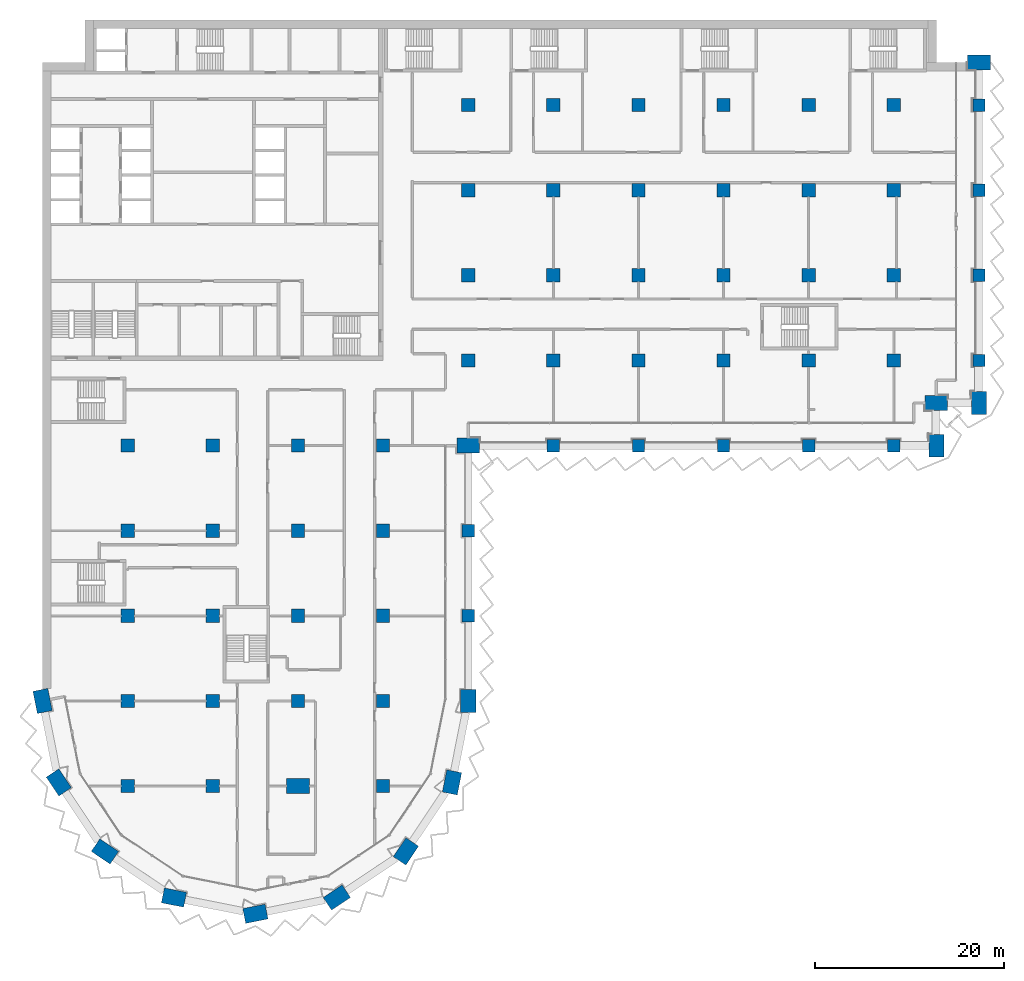
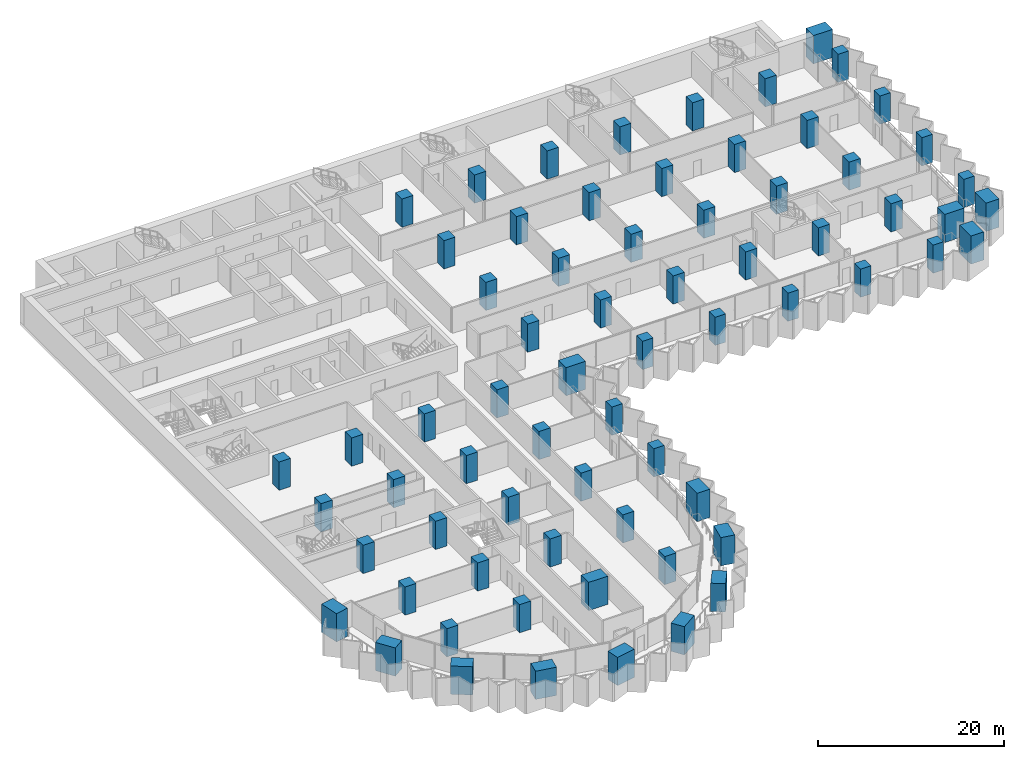
# One storey, part 1 of 28: 69 columns.
"""IFC4 building model written with IfcOpenShell, lengths in metres."""

from ifc_helpers import new_model, si_unit, direction, frame, origin, origin_2d, place, context, subcontext, project, spatial, rectangle, extrude, material, material_profile, profile_set, type_object, element, save


model = new_model("IFC4")

# Units and contexts
model_context = context("Model", 3, precision=1e-05, world=origin(), true_north=direction((0.0, 1.0)))
body_context = subcontext(model_context, "Body", "Model", "MODEL_VIEW")
ifc_project = project(units=[si_unit("LENGTHUNIT", "METRE"), si_unit("AREAUNIT", "SQUARE_METRE"), si_unit("VOLUMEUNIT", "CUBIC_METRE"), si_unit("PLANEANGLEUNIT", "RADIAN"), si_unit("MASSUNIT", "GRAM", prefix="KILO")], contexts=[model_context])

# Site, building, storey
site_placement = place(None, origin())
site = spatial("IfcSite", under=ifc_project, at=site_placement, CompositionType="ELEMENT")
building_placement = place(site_placement, origin())
building = spatial("IfcBuilding", under=site, at=building_placement, Name="Hunhe Ridgeline Campus", CompositionType="ELEMENT")
storey_placement = place(building_placement, frame((0.0, 0.0, 58.0)))
storey = spatial("IfcBuildingStorey", under=building, at=storey_placement, Name="L13", CompositionType="ELEMENT", Elevation=58.0)

# Columns
ifc_material = material(Name="Concrete C80", Category="concrete")
ifc_material_profile_1 = material_profile(ifc_material, rectangle(XDim=2.39990234375, YDim=1.60009765625, at=origin_2d()))
ifc_profile_set_1 = profile_set([ifc_material_profile_1], Name="Concrete C80")
column_type_1 = type_object("IfcColumnType", Name="Megacolumn 2400x1600 Concrete C80", PredefinedType="COLUMN", material=ifc_profile_set_1)
for number, where, z_axis, x_axis, name in (
    (1, (22.5, 4.5, 0.0), (0.0, 0.0, 1.0), (0.980785280403, 0.195090322016, 0.0), "Column C3 R1 L13"),
    (2, (13.8896484375, 6.212646484375, 0.0), (0.0, 0.0, 1.0), (-0.980785280403, 0.195090322016, 0.0), "Column C3 R2 L13"),
    (3, (31.1103515625, 6.212646484375, 0.0), (0.0, 0.0, 1.0), (0.831469612303, 0.55557023302, 0.0), "Column C3 R3 L13"),
    (4, (6.590087890625, 11.090087890625, 0.0), (0.0, 0.0, 1.0), (-0.831469612303, 0.55557023302, 0.0), "Column C3 R4 L13"),
    (5, (38.409912109375, 11.090087890625, 0.0), (0.0, 0.0, 1.0), (0.55557023302, 0.831469612303, 0.0), "Column C3 R5 L13"),
    (6, (1.712646484375, 18.3896484375, 0.0), (0.0, 0.0, 1.0), (-0.55557023302, 0.831469612303, 0.0), "Column C3 R9 L13"),
    (7, (43.287353515625, 18.3896484375, 0.0), (0.0, 0.0, 1.0), (0.195090322016, 0.980785280403, 0.0), "Column C3 R10 L13"),
    (8, (0.0, 27.0, 0.0), (0.0, 0.0, 1.0), (-0.195090322016, 0.980785280403, 0.0), "Column C3 D1 L13"),
    (9, (45.0, 27.0, 0.0), (0.0, 0.0, 1.0), (0.0, 1.0, 0.0), "Column C3 D6 L13"),
    (10, (45.0, 54.0, 0.0), (0.0, 0.0, 1.0), (1.0, 0.0, 0.0), "Column C3 G6 L13"),
    (11, (94.5, 54.0, 0.0), (0.0, 0.0, 1.0), (0.0, 1.0, 0.0), "Column C3 R32 L13"),
    (12, (94.5, 58.5, 0.0), (0.0, 0.0, 1.0), (1.0, 0.0, 0.0), "Column C3 R39 L13"),
    (13, (99.0, 58.5, 0.0), (0.0, 0.0, 1.0), (0.0, 1.0, 0.0), "Column C3 R40 L13"),
    (14, (99.0, 94.5, 0.0), (0.0, 0.0, 1.0), (1.0, 0.0, 0.0), "Column C3 R44 L13"),
    (15, (27.0, 18.0, 0.0), (0.0, 0.0, 1.0), (1.0, 0.0, 0.0), "Column C3 C4 L13"),
):
    element("IfcColumn", number, at=place(storey_placement, frame(where, z_axis=z_axis, x_axis=x_axis)), inside=storey, type_object=column_type_1, Name=name, PredefinedType="COLUMN", context=body_context, shape_type="SweptSolid", body=[
        extrude(rectangle(XDim=2.39990234375, YDim=1.60009765625, at=origin_2d()), origin(), (0.0, 0.0, 1.0), 3.699951171875),
    ])
ifc_material_profile_2 = material_profile(ifc_material, rectangle(XDim=1.300048828125, YDim=1.300048828125, at=origin_2d()))
ifc_profile_set_2 = profile_set([ifc_material_profile_2], Name="Concrete C80")
column_type_2 = type_object("IfcColumnType", Name="RC column 1300x1300 Concrete C80", PredefinedType="COLUMN", material=ifc_profile_set_2)
for number, where, z_axis, x_axis, name in (
    (16, (45.0, 36.0, 0.0), (0.0, 0.0, 1.0), (1.0, 0.0, 0.0), "Column C4 E6 L13"),
    (17, (45.0, 45.0, 0.0), (0.0, 0.0, 1.0), (1.0, 0.0, 0.0), "Column C4 F6 L13"),
    (18, (54.0, 54.0, 0.0), (0.0, 0.0, 1.0), (1.0, 0.0, 0.0), "Column C4 G7 L13"),
    (19, (63.0, 54.0, 0.0), (0.0, 0.0, 1.0), (1.0, 0.0, 0.0), "Column C4 G8 L13"),
    (20, (72.0, 54.0, 0.0), (0.0, 0.0, 1.0), (1.0, 0.0, 0.0), "Column C4 G9 L13"),
    (21, (81.0, 54.0, 0.0), (0.0, 0.0, 1.0), (1.0, 0.0, 0.0), "Column C4 G10 L13"),
    (22, (90.0, 54.0, 0.0), (0.0, 0.0, 1.0), (1.0, 0.0, 0.0), "Column C4 G11 L13"),
    (23, (99.0, 63.0, 0.0), (0.0, 0.0, 1.0), (1.0, 0.0, 0.0), "Column C4 H12 L13"),
    (24, (99.0, 72.0, 0.0), (0.0, 0.0, 1.0), (1.0, 0.0, 0.0), "Column C4 I12 L13"),
    (25, (99.0, 81.0, 0.0), (0.0, 0.0, 1.0), (1.0, 0.0, 0.0), "Column C4 J12 L13"),
    (26, (99.0, 90.0, 0.0), (0.0, 0.0, 1.0), (1.0, 0.0, 0.0), "Column C4 K12 L13"),
):
    element("IfcColumn", number, at=place(storey_placement, frame(where, z_axis=z_axis, x_axis=x_axis)), inside=storey, type_object=column_type_2, Name=name, PredefinedType="COLUMN", context=body_context, shape_type="SweptSolid", body=[
        extrude(rectangle(XDim=1.300048828125, YDim=1.300048828125, at=origin_2d()), origin(), (0.0, 0.0, 1.0), 3.699951171875),
    ])
ifc_material_profile_3 = material_profile(ifc_material, rectangle(XDim=1.39990234375, YDim=1.39990234375, at=origin_2d()))
ifc_profile_set_3 = profile_set([ifc_material_profile_3], Name="Concrete C80")
column_type_3 = type_object("IfcColumnType", Name="RC column 1400x1400 Concrete C80", PredefinedType="COLUMN", material=ifc_profile_set_3)
for number, where, z_axis, x_axis, name in (
    (27, (9.0, 18.0, 0.0), (0.0, 0.0, 1.0), (1.0, 0.0, 0.0), "Column C5 C2 L13"),
    (28, (9.0, 27.0, 0.0), (0.0, 0.0, 1.0), (1.0, 0.0, 0.0), "Column C5 D2 L13"),
    (29, (9.0, 36.0, 0.0), (0.0, 0.0, 1.0), (1.0, 0.0, 0.0), "Column C5 E2 L13"),
    (30, (9.0, 45.0, 0.0), (0.0, 0.0, 1.0), (1.0, 0.0, 0.0), "Column C5 F2 L13"),
    (31, (9.0, 54.0, 0.0), (0.0, 0.0, 1.0), (1.0, 0.0, 0.0), "Column C5 G2 L13"),
    (32, (18.0, 18.0, 0.0), (0.0, 0.0, 1.0), (1.0, 0.0, 0.0), "Column C5 C3 L13"),
    (33, (18.0, 27.0, 0.0), (0.0, 0.0, 1.0), (1.0, 0.0, 0.0), "Column C5 D3 L13"),
    (34, (18.0, 36.0, 0.0), (0.0, 0.0, 1.0), (1.0, 0.0, 0.0), "Column C5 E3 L13"),
    (35, (18.0, 45.0, 0.0), (0.0, 0.0, 1.0), (1.0, 0.0, 0.0), "Column C5 F3 L13"),
    (36, (18.0, 54.0, 0.0), (0.0, 0.0, 1.0), (1.0, 0.0, 0.0), "Column C5 G3 L13"),
    (37, (27.0, 27.0, 0.0), (0.0, 0.0, 1.0), (1.0, 0.0, 0.0), "Column C5 D4 L13"),
    (38, (27.0, 36.0, 0.0), (0.0, 0.0, 1.0), (1.0, 0.0, 0.0), "Column C5 E4 L13"),
    (39, (27.0, 45.0, 0.0), (0.0, 0.0, 1.0), (1.0, 0.0, 0.0), "Column C5 F4 L13"),
    (40, (27.0, 54.0, 0.0), (0.0, 0.0, 1.0), (1.0, 0.0, 0.0), "Column C5 G4 L13"),
    (41, (36.0, 18.0, 0.0), (0.0, 0.0, 1.0), (1.0, 0.0, 0.0), "Column C5 C5 L13"),
    (42, (36.0, 27.0, 0.0), (0.0, 0.0, 1.0), (1.0, 0.0, 0.0), "Column C5 D5 L13"),
    (43, (36.0, 36.0, 0.0), (0.0, 0.0, 1.0), (1.0, 0.0, 0.0), "Column C5 E5 L13"),
    (44, (36.0, 45.0, 0.0), (0.0, 0.0, 1.0), (1.0, 0.0, 0.0), "Column C5 F5 L13"),
    (45, (36.0, 54.0, 0.0), (0.0, 0.0, 1.0), (1.0, 0.0, 0.0), "Column C5 G5 L13"),
    (46, (45.0, 63.0, 0.0), (0.0, 0.0, 1.0), (1.0, 0.0, 0.0), "Column C5 H6 L13"),
    (47, (45.0, 72.0, 0.0), (0.0, 0.0, 1.0), (1.0, 0.0, 0.0), "Column C5 I6 L13"),
    (48, (45.0, 81.0, 0.0), (0.0, 0.0, 1.0), (1.0, 0.0, 0.0), "Column C5 J6 L13"),
    (49, (45.0, 90.0, 0.0), (0.0, 0.0, 1.0), (1.0, 0.0, 0.0), "Column C5 K6 L13"),
    (50, (54.0, 63.0, 0.0), (0.0, 0.0, 1.0), (1.0, 0.0, 0.0), "Column C5 H7 L13"),
    (51, (54.0, 72.0, 0.0), (0.0, 0.0, 1.0), (1.0, 0.0, 0.0), "Column C5 I7 L13"),
    (52, (54.0, 81.0, 0.0), (0.0, 0.0, 1.0), (1.0, 0.0, 0.0), "Column C5 J7 L13"),
    (53, (54.0, 90.0, 0.0), (0.0, 0.0, 1.0), (1.0, 0.0, 0.0), "Column C5 K7 L13"),
    (54, (63.0, 63.0, 0.0), (0.0, 0.0, 1.0), (1.0, 0.0, 0.0), "Column C5 H8 L13"),
    (55, (63.0, 72.0, 0.0), (0.0, 0.0, 1.0), (1.0, 0.0, 0.0), "Column C5 I8 L13"),
    (56, (63.0, 81.0, 0.0), (0.0, 0.0, 1.0), (1.0, 0.0, 0.0), "Column C5 J8 L13"),
    (57, (63.0, 90.0, 0.0), (0.0, 0.0, 1.0), (1.0, 0.0, 0.0), "Column C5 K8 L13"),
    (58, (72.0, 63.0, 0.0), (0.0, 0.0, 1.0), (1.0, 0.0, 0.0), "Column C5 H9 L13"),
    (59, (72.0, 72.0, 0.0), (0.0, 0.0, 1.0), (1.0, 0.0, 0.0), "Column C5 I9 L13"),
    (60, (72.0, 81.0, 0.0), (0.0, 0.0, 1.0), (1.0, 0.0, 0.0), "Column C5 J9 L13"),
    (61, (72.0, 90.0, 0.0), (0.0, 0.0, 1.0), (1.0, 0.0, 0.0), "Column C5 K9 L13"),
    (62, (81.0, 63.0, 0.0), (0.0, 0.0, 1.0), (1.0, 0.0, 0.0), "Column C5 H10 L13"),
    (63, (81.0, 72.0, 0.0), (0.0, 0.0, 1.0), (1.0, 0.0, 0.0), "Column C5 I10 L13"),
    (64, (81.0, 81.0, 0.0), (0.0, 0.0, 1.0), (1.0, 0.0, 0.0), "Column C5 J10 L13"),
    (65, (81.0, 90.0, 0.0), (0.0, 0.0, 1.0), (1.0, 0.0, 0.0), "Column C5 K10 L13"),
    (66, (90.0, 63.0, 0.0), (0.0, 0.0, 1.0), (1.0, 0.0, 0.0), "Column C5 H11 L13"),
    (67, (90.0, 72.0, 0.0), (0.0, 0.0, 1.0), (1.0, 0.0, 0.0), "Column C5 I11 L13"),
    (68, (90.0, 81.0, 0.0), (0.0, 0.0, 1.0), (1.0, 0.0, 0.0), "Column C5 J11 L13"),
    (69, (90.0, 90.0, 0.0), (0.0, 0.0, 1.0), (1.0, 0.0, 0.0), "Column C5 K11 L13"),
):
    element("IfcColumn", number, at=place(storey_placement, frame(where, z_axis=z_axis, x_axis=x_axis)), inside=storey, type_object=column_type_3, Name=name, PredefinedType="COLUMN", context=body_context, shape_type="SweptSolid", body=[
        extrude(rectangle(XDim=1.39990234375, YDim=1.39990234375, at=origin_2d()), origin(), (0.0, 0.0, 1.0), 3.699951171875),
    ])

save(model, "model.ifc")
